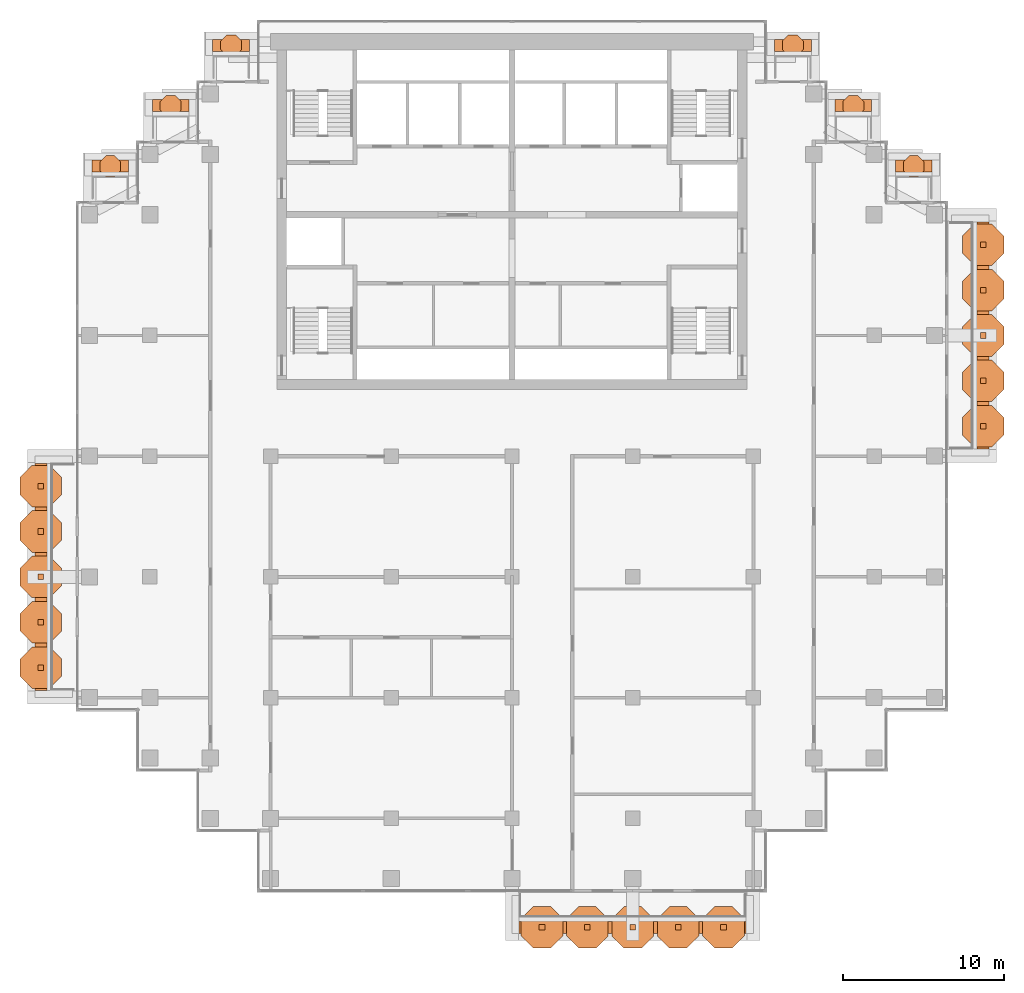
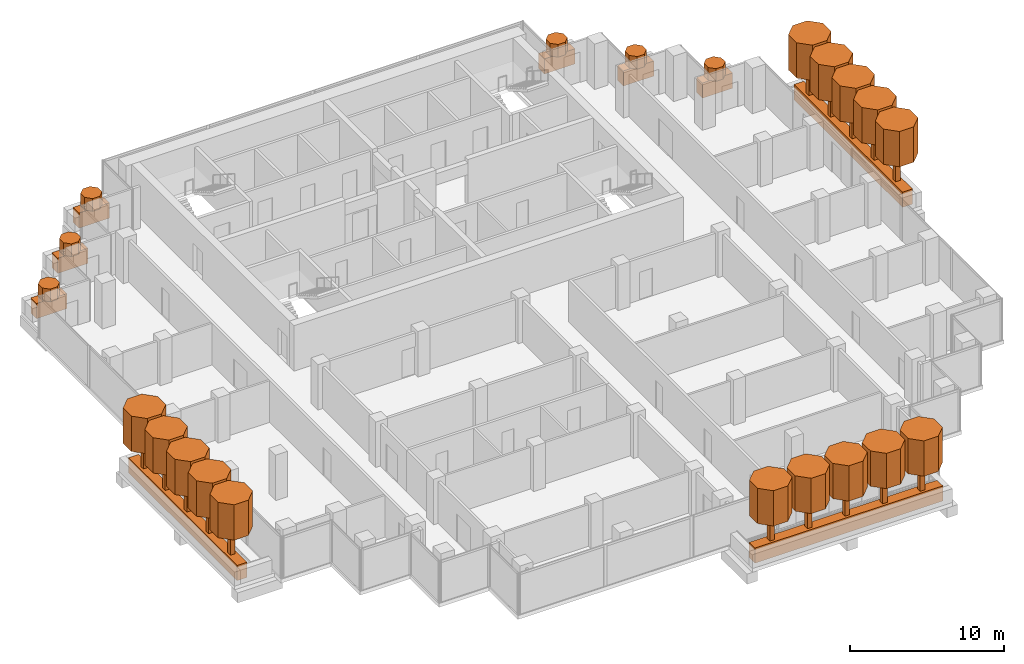
# One storey, part 18 of 18: 45 geographic elements.
"""IFC4 building model written with IfcOpenShell, lengths in metres."""

from ifc_helpers import new_model, si_unit, direction, frame, origin, origin_2d, place, context, subcontext, project, spatial, polyline, rectangle, outline, extrude, material, material_profile, profile_set, type_object, element, save


model = new_model("IFC4")

# Units and contexts
model_context = context("Model", 3, precision=1e-05, world=origin(), true_north=direction((0.0, 1.0)))
body_context = subcontext(model_context, "Body", "Model", "MODEL_VIEW")
ifc_project = project(units=[si_unit("LENGTHUNIT", "METRE"), si_unit("AREAUNIT", "SQUARE_METRE"), si_unit("VOLUMEUNIT", "CUBIC_METRE"), si_unit("PLANEANGLEUNIT", "RADIAN"), si_unit("MASSUNIT", "GRAM", prefix="KILO")], contexts=[model_context])

# Site, building, storey
site_placement = place(None, origin())
site = spatial("IfcSite", under=ifc_project, at=site_placement, CompositionType="ELEMENT")
building_placement = place(site_placement, origin())
building = spatial("IfcBuilding", under=site, at=building_placement, Name="Pilkhan Gate Tower", CompositionType="ELEMENT")
storey_placement = place(building_placement, frame((0.0, 0.0, 203.10009765625)))
storey = spatial("IfcBuildingStorey", under=building, at=storey_placement, Name="L52", CompositionType="ELEMENT", Elevation=203.10009765625)

# Geographic elements
ifc_material_1 = material(Name="Foliage")
ifc_material_profile_1 = material_profile(ifc_material_1, rectangle(XDim=0.75, YDim=1.199951171875, at=origin_2d()), Name="Bed 750x1200")
ifc_profile_set_1 = profile_set([ifc_material_profile_1], Name="Foliage")
geographic_element_type_1 = type_object("IfcGeographicElementType", Name="Planting bed PB1", PredefinedType="USERDEFINED", material=ifc_profile_set_1)
for number, where, z_axis, x_axis, name in (
    (1, (75.449951171875, 38.22509765625, 0.599853515625), (1.0, 0.0, 0.0), (0.0, 1.0, 0.0), "Balcony L52 S planting bed"),
    (2, (104.27490234375, 67.949951171875, 0.599853515625), (0.0, 1.0, 0.0), (-1.0, 0.0, 0.0), "Balcony L52 E planting bed"),
):
    element("IfcGeographicElement", number, at=place(storey_placement, frame(where, z_axis=z_axis, x_axis=x_axis)), inside=storey, type_object=geographic_element_type_1, Name=name, ObjectType="PLANTING BED", PredefinedType="USERDEFINED", context=body_context, shape_type="SweptSolid", body=[
        extrude(rectangle(XDim=0.75, YDim=1.199951171875, at=origin_2d()), origin(), (0.0, 0.0, 1.0), 14.10009765625),
    ])
for number, where, z_axis, x_axis, name in (
    (3, (56.39990234375, 93.02490234375, 0.599853515625), (1.0, 0.0, 0.0), (0.0, 1.0, 0.0), "Balcony L52 N planting bed"),
    (4, (91.300048828125, 93.02490234375, 0.599853515625), (1.0, 0.0, 0.0), (0.0, 1.0, 0.0), "Balcony L52 N planting bed"),
):
    element("IfcGeographicElement", number, at=place(storey_placement, frame(where, z_axis=z_axis, x_axis=x_axis)), inside=storey, type_object=geographic_element_type_1, Name=name, ObjectType="PLANTING BED", PredefinedType="USERDEFINED", context=body_context, shape_type="SweptSolid", body=[
        extrude(rectangle(XDim=0.75, YDim=1.199951171875, at=origin_2d()), origin(), (0.0, 0.0, 1.0), 2.300048828125),
    ])
for number, where, z_axis, x_axis, name in (
    (5, (52.64990234375, 89.27490234375, 0.599853515625), (1.0, 0.0, 0.0), (0.0, 1.0, 0.0), "Balcony L52 N planting bed"),
    (6, (48.89990234375, 85.52490234375, 0.599853515625), (1.0, 0.0, 0.0), (0.0, 1.0, 0.0), "Balcony L52 N planting bed"),
    (7, (95.070068359375, 89.27490234375, 0.599853515625), (1.0, 0.0, 0.0), (0.0, 1.0, 0.0), "Balcony L52 N planting bed"),
    (8, (98.820068359375, 85.52490234375, 0.599853515625), (1.0, 0.0, 0.0), (0.0, 1.0, 0.0), "Balcony L52 N planting bed"),
):
    element("IfcGeographicElement", number, at=place(storey_placement, frame(where, z_axis=z_axis, x_axis=x_axis)), inside=storey, type_object=geographic_element_type_1, Name=name, ObjectType="PLANTING BED", PredefinedType="USERDEFINED", context=body_context, shape_type="SweptSolid", body=[
        extrude(rectangle(XDim=0.75, YDim=1.199951171875, at=origin_2d()), origin(), (0.0, 0.0, 1.0), 2.280029296875),
    ])
geographic_element_placement = place(storey_placement, frame((45.72509765625, 52.949951171875, 0.599853515625), z_axis=(0.0, 1.0, 0.0), x_axis=(-1.0, 0.0, 0.0)))
element("IfcGeographicElement", 9, at=geographic_element_placement, inside=storey, type_object=geographic_element_type_1, Name="Balcony L52 W planting bed", ObjectType="PLANTING BED", PredefinedType="USERDEFINED", context=body_context, shape_type="SweptSolid", body=[
    extrude(rectangle(XDim=0.75, YDim=1.199951171875, at=origin_2d()), origin(), (0.0, 0.0, 1.0), 14.10009765625),
])
ifc_material_profile_2 = material_profile(ifc_material_1, outline(polyline([(0.646728515625, 0.267822265625), (0.267822265625, 0.646728515625), (-0.267822265625, 0.646728515625), (-0.646728515625, 0.267822265625), (-0.646728515625, -0.267822265625), (-0.267822265625, -0.646728515625), (0.267822265625, -0.646728515625), (0.646728515625, -0.267822265625), (0.646728515625, 0.267822265625)])), Name="Shrub D1.4")
ifc_profile_set_2 = profile_set([ifc_material_profile_2], Name="Foliage")
geographic_element_type_2 = type_object("IfcGeographicElementType", Name="Shrub SH07", PredefinedType="USERDEFINED", material=ifc_profile_set_2)
for number, where, z_axis, x_axis, name in (
    (10, (57.550048828125, 93.02490234375, 1.199951171875), (0.0, 0.0, 1.0), (1.0, 0.0, 0.0), "Shrub L52 N 1"),
    (11, (92.449951171875, 93.02490234375, 1.199951171875), (0.0, 0.0, 1.0), (1.0, 0.0, 0.0), "Shrub L52 N 1"),
    (12, (53.7900390625, 89.27490234375, 1.199951171875), (0.0, 0.0, 1.0), (1.0, 0.0, 0.0), "Shrub L52 N 1"),
    (13, (50.0400390625, 85.52490234375, 1.199951171875), (0.0, 0.0, 1.0), (1.0, 0.0, 0.0), "Shrub L52 N 1"),
    (14, (96.2099609375, 89.27490234375, 1.199951171875), (0.0, 0.0, 1.0), (1.0, 0.0, 0.0), "Shrub L52 N 1"),
    (15, (99.9599609375, 85.52490234375, 1.199951171875), (0.0, 0.0, 1.0), (1.0, 0.0, 0.0), "Shrub L52 N 1"),
):
    element("IfcGeographicElement", number, at=place(storey_placement, frame(where, z_axis=z_axis, x_axis=x_axis)), inside=storey, type_object=geographic_element_type_2, Name=name, ObjectType="SHRUB", PredefinedType="USERDEFINED", context=body_context, shape_type="SweptSolid", body=[
        extrude(outline(polyline([(0.646728515625, 0.267822265625), (0.267822265625, 0.646728515625), (-0.267822265625, 0.646728515625), (-0.646728515625, 0.267822265625), (-0.646728515625, -0.267822265625), (-0.267822265625, -0.646728515625), (0.267822265625, -0.646728515625), (0.646728515625, -0.267822265625), (0.646728515625, 0.267822265625)])), origin(), (0.0, 0.0, 1.0), 1.0),
    ])
ifc_material_profile_3 = material_profile(ifc_material_1, outline(polyline([(1.29345703125, 0.535888671875), (0.535888671875, 1.29345703125), (-0.535888671875, 1.29345703125), (-1.29345703125, 0.535888671875), (-1.29345703125, -0.535888671875), (-0.535888671875, -1.29345703125), (0.535888671875, -1.29345703125), (1.29345703125, -0.535888671875), (1.29345703125, 0.535888671875)])), Name="Canopy D2.8")
ifc_profile_set_3 = profile_set([ifc_material_profile_3], Name="Foliage")
geographic_element_type_3 = type_object("IfcGeographicElementType", Name="Tree canopy TC14", PredefinedType="USERDEFINED", material=ifc_profile_set_3)
for number, where, z_axis, x_axis, name in (
    (16, (76.860107421875, 38.22509765625, 3.199951171875), (0.0, 0.0, 1.0), (1.0, 0.0, 0.0), "Tree L52 S 1 canopy"),
    (17, (79.679931640625, 38.22509765625, 3.199951171875), (0.0, 0.0, 1.0), (1.0, 0.0, 0.0), "Tree L52 S 2 canopy"),
    (18, (82.5, 38.22509765625, 3.199951171875), (0.0, 0.0, 1.0), (1.0, 0.0, 0.0), "Tree L52 S 3 canopy"),
    (19, (85.320068359375, 38.22509765625, 3.199951171875), (0.0, 0.0, 1.0), (1.0, 0.0, 0.0), "Tree L52 S 4 canopy"),
    (20, (88.139892578125, 38.22509765625, 3.199951171875), (0.0, 0.0, 1.0), (1.0, 0.0, 0.0), "Tree L52 S 5 canopy"),
    (21, (104.27490234375, 69.360107421875, 3.199951171875), (0.0, 0.0, 1.0), (1.0, 0.0, 0.0), "Tree L52 E 1 canopy"),
    (22, (104.27490234375, 72.179931640625, 3.199951171875), (0.0, 0.0, 1.0), (1.0, 0.0, 0.0), "Tree L52 E 2 canopy"),
    (23, (104.27490234375, 75.0, 3.199951171875), (0.0, 0.0, 1.0), (1.0, 0.0, 0.0), "Tree L52 E 3 canopy"),
    (24, (104.27490234375, 77.820068359375, 3.199951171875), (0.0, 0.0, 1.0), (1.0, 0.0, 0.0), "Tree L52 E 4 canopy"),
    (25, (104.27490234375, 80.639892578125, 3.199951171875), (0.0, 0.0, 1.0), (1.0, 0.0, 0.0), "Tree L52 E 5 canopy"),
    (26, (45.72509765625, 54.360107421875, 3.199951171875), (0.0, 0.0, 1.0), (1.0, 0.0, 0.0), "Tree L52 W 1 canopy"),
    (27, (45.72509765625, 57.179931640625, 3.199951171875), (0.0, 0.0, 1.0), (1.0, 0.0, 0.0), "Tree L52 W 2 canopy"),
    (28, (45.72509765625, 60.0, 3.199951171875), (0.0, 0.0, 1.0), (1.0, 0.0, 0.0), "Tree L52 W 3 canopy"),
    (29, (45.72509765625, 62.820068359375, 3.199951171875), (0.0, 0.0, 1.0), (1.0, 0.0, 0.0), "Tree L52 W 4 canopy"),
    (30, (45.72509765625, 65.639892578125, 3.199951171875), (0.0, 0.0, 1.0), (1.0, 0.0, 0.0), "Tree L52 W 5 canopy"),
):
    element("IfcGeographicElement", number, at=place(storey_placement, frame(where, z_axis=z_axis, x_axis=x_axis)), inside=storey, type_object=geographic_element_type_3, Name=name, ObjectType="TREE", PredefinedType="USERDEFINED", context=body_context, shape_type="SweptSolid", body=[
        extrude(outline(polyline([(1.29345703125, 0.535888671875), (0.535888671875, 1.29345703125), (-0.535888671875, 1.29345703125), (-1.29345703125, 0.535888671875), (-1.29345703125, -0.535888671875), (-0.535888671875, -1.29345703125), (0.535888671875, -1.29345703125), (1.29345703125, -0.535888671875), (1.29345703125, 0.535888671875)])), origin(), (0.0, 0.0, 1.0), 2.800048828125),
    ])
ifc_material_2 = material(Name="Timber trunk", Category="wood")
geographic_element_type_4 = type_object("IfcGeographicElementType", Name="Tree trunk TT1", PredefinedType="USERDEFINED", material=ifc_material_2)
for number, where, z_axis, x_axis, name in (
    (31, (76.860107421875, 38.22509765625, 1.199951171875), (0.0, 0.0, 1.0), (1.0, 0.0, 0.0), "Tree L52 S 1 trunk"),
    (32, (79.679931640625, 38.22509765625, 1.199951171875), (0.0, 0.0, 1.0), (1.0, 0.0, 0.0), "Tree L52 S 2 trunk"),
    (33, (82.5, 38.22509765625, 1.199951171875), (0.0, 0.0, 1.0), (1.0, 0.0, 0.0), "Tree L52 S 3 trunk"),
    (34, (85.320068359375, 38.22509765625, 1.199951171875), (0.0, 0.0, 1.0), (1.0, 0.0, 0.0), "Tree L52 S 4 trunk"),
    (35, (88.139892578125, 38.22509765625, 1.199951171875), (0.0, 0.0, 1.0), (1.0, 0.0, 0.0), "Tree L52 S 5 trunk"),
    (36, (104.27490234375, 69.360107421875, 1.199951171875), (0.0, 0.0, 1.0), (1.0, 0.0, 0.0), "Tree L52 E 1 trunk"),
    (37, (104.27490234375, 72.179931640625, 1.199951171875), (0.0, 0.0, 1.0), (1.0, 0.0, 0.0), "Tree L52 E 2 trunk"),
    (38, (104.27490234375, 75.0, 1.199951171875), (0.0, 0.0, 1.0), (1.0, 0.0, 0.0), "Tree L52 E 3 trunk"),
    (39, (104.27490234375, 77.820068359375, 1.199951171875), (0.0, 0.0, 1.0), (1.0, 0.0, 0.0), "Tree L52 E 4 trunk"),
    (40, (104.27490234375, 80.639892578125, 1.199951171875), (0.0, 0.0, 1.0), (1.0, 0.0, 0.0), "Tree L52 E 5 trunk"),
    (41, (45.72509765625, 54.360107421875, 1.199951171875), (0.0, 0.0, 1.0), (1.0, 0.0, 0.0), "Tree L52 W 1 trunk"),
    (42, (45.72509765625, 57.179931640625, 1.199951171875), (0.0, 0.0, 1.0), (1.0, 0.0, 0.0), "Tree L52 W 2 trunk"),
    (43, (45.72509765625, 60.0, 1.199951171875), (0.0, 0.0, 1.0), (1.0, 0.0, 0.0), "Tree L52 W 3 trunk"),
    (44, (45.72509765625, 62.820068359375, 1.199951171875), (0.0, 0.0, 1.0), (1.0, 0.0, 0.0), "Tree L52 W 4 trunk"),
    (45, (45.72509765625, 65.639892578125, 1.199951171875), (0.0, 0.0, 1.0), (1.0, 0.0, 0.0), "Tree L52 W 5 trunk"),
):
    element("IfcGeographicElement", number, at=place(storey_placement, frame(where, z_axis=z_axis, x_axis=x_axis)), inside=storey, type_object=geographic_element_type_4, Name=name, ObjectType="TREE", PredefinedType="USERDEFINED", context=body_context, shape_type="SweptSolid", body=[
        extrude(rectangle(XDim=0.35009765625, YDim=0.35009765625, at=origin_2d()), origin(), (0.0, 0.0, 1.0), 2.0),
    ])

save(model, "model.ifc")
